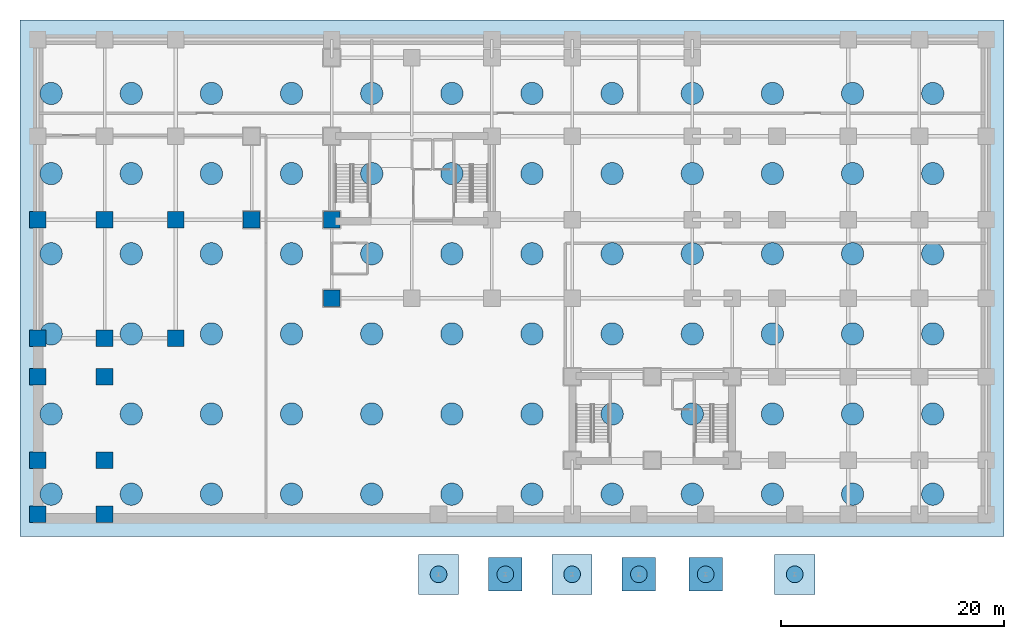
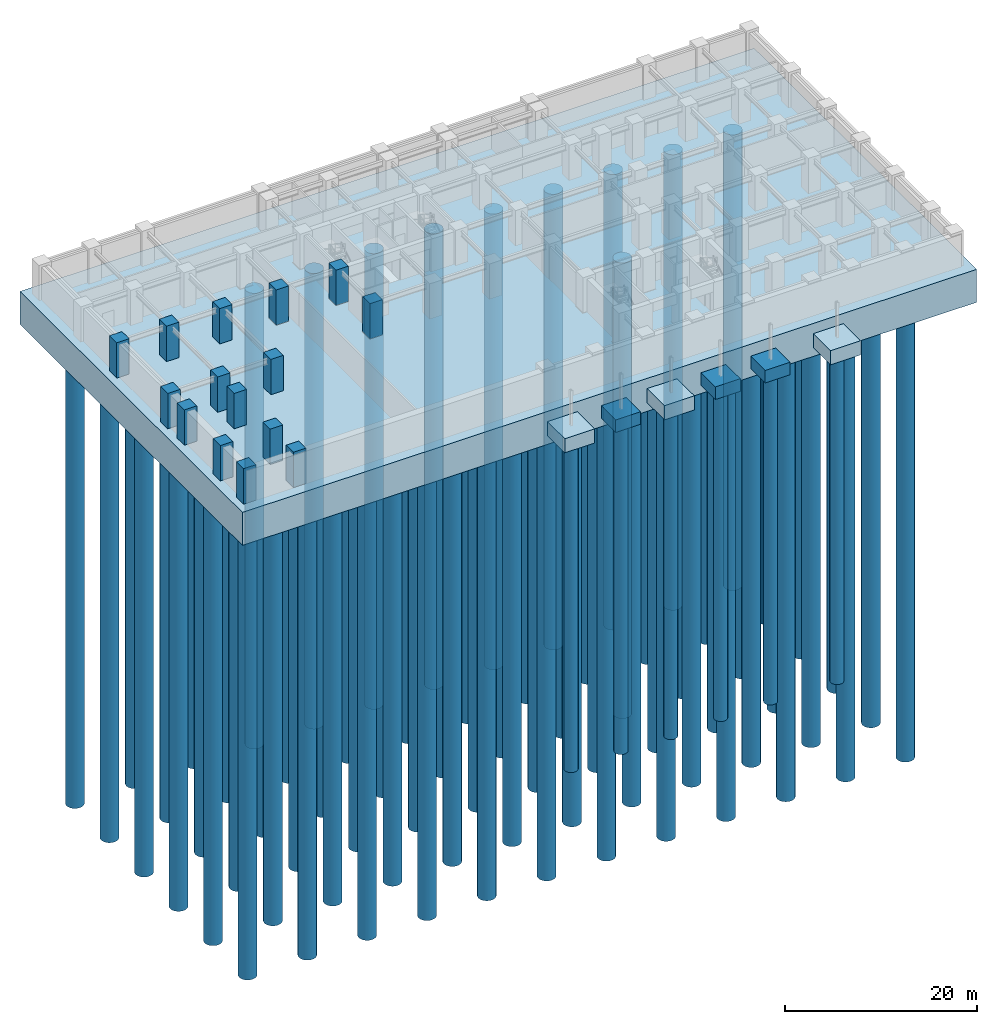
# One storey, part 1 of 11: 78 piles, 15 columns, 7 footings.
"""IFC4 building model written with IfcOpenShell, lengths in metres."""

from ifc_helpers import new_model, si_unit, direction, frame, origin, origin_2d, place, context, subcontext, project, spatial, polyline, rectangle, circle, outline, extrude, source, transform, mapped, material, material_profile, profile_set, type_object, element, save


model = new_model("IFC4")

# Units and contexts
model_context = context("Model", 3, precision=1e-05, world=origin(), true_north=direction((0.0, 1.0)))
body_context = subcontext(model_context, "Body", "Model", "MODEL_VIEW")
ifc_project = project(units=[si_unit("LENGTHUNIT", "METRE"), si_unit("AREAUNIT", "SQUARE_METRE"), si_unit("VOLUMEUNIT", "CUBIC_METRE"), si_unit("PLANEANGLEUNIT", "RADIAN"), si_unit("MASSUNIT", "GRAM", prefix="KILO")], contexts=[model_context])

# Site, building, storey
site_placement = place(None, origin())
site = spatial("IfcSite", under=ifc_project, at=site_placement, CompositionType="ELEMENT")
building_placement = place(site_placement, origin())
building = spatial("IfcBuilding", under=site, at=building_placement, Name="Kaliganga Portal Commons", CompositionType="ELEMENT")
storey_placement = place(building_placement, frame((0.0, 0.0, -9.0)))
storey = spatial("IfcBuildingStorey", under=building, at=storey_placement, Name="B2", CompositionType="ELEMENT", Elevation=-9.0)

# Footing
ifc_material_1 = material(Name="Concrete C60/75", Category="concrete")
footing_type_1 = type_object("IfcFootingType", Name="FTG-RAFT-4200", PredefinedType="PILE_CAP", material=ifc_material_1)
footing_placement = place(storey_placement, frame((0.0, 0.0, -4.199951171875)))
element("IfcFooting", 1, at=footing_placement, inside=storey, type_object=footing_type_1, Name="Combined Piled-Raft Mat Foundation", PredefinedType="PILE_CAP", context=body_context, shape_type="SweptSolid", body=[
    extrude(outline(polyline([(-13.60009765625, 0.199951171875), (74.800048828125, 0.199951171875), (74.800048828125, 46.60009765625), (-13.60009765625, 46.60009765625), (-13.60009765625, 0.199951171875)])), origin(), (0.0, 0.0, 1.0), 4.199951171875),
])

# Piles
ifc_material_2 = material(Name="Concrete C50/60", Category="concrete")
ifc_material_profile_1 = material_profile(ifc_material_2, circle(Radius=0.75, at=origin_2d()), Name="PILE D1500")
ifc_profile_set_1 = profile_set([ifc_material_profile_1], Name="Concrete C50/60")
pile_type_1 = type_object("IfcPileType", Name="PILE-BORED-D1500", PredefinedType="BORED", material=ifc_profile_set_1)
for number, where, z_axis, x_axis, name in (
    (2, (24.0, -3.199951171875, -1.699951171875), (0.0, 0.0, -1.0), (1.0, 0.0, 0.0), "Promenade Bored Pile PP-01"),
    (3, (30.0, -3.199951171875, -1.5), (0.0, 0.0, -1.0), (1.0, 0.0, 0.0), "Promenade Bored Pile PP-02"),
    (4, (36.0, -3.199951171875, -1.699951171875), (0.0, 0.0, -1.0), (1.0, 0.0, 0.0), "Promenade Bored Pile PP-03"),
    (5, (42.0, -3.199951171875, -1.5), (0.0, 0.0, -1.0), (1.0, 0.0, 0.0), "Promenade Bored Pile PP-04"),
    (6, (48.0, -3.199951171875, -1.5), (0.0, 0.0, -1.0), (1.0, 0.0, 0.0), "Promenade Bored Pile PP-05"),
    (7, (56.0, -3.199951171875, -1.699951171875), (0.0, 0.0, -1.0), (1.0, 0.0, 0.0), "Promenade Bored Pile PP-06"),
):
    element("IfcPile", number, at=place(storey_placement, frame(where, z_axis=z_axis, x_axis=x_axis)), inside=storey, type_object=pile_type_1, Name=name, PredefinedType="BORED", context=body_context, shape_type="SweptSolid", body=[
        extrude(circle(Radius=0.75, at=origin_2d()), origin(), (0.0, 0.0, 1.0), 42.0),
    ])
ifc_material_profile_2 = material_profile(ifc_material_2, circle(Radius=1.0, at=origin_2d()), Name="PILE D2000")
ifc_profile_set_2 = profile_set([ifc_material_profile_2], Name="Concrete C50/60")
pile_type_2 = type_object("IfcPileType", Name="PILE-BORED-D2000", PredefinedType="BORED", material=ifc_profile_set_2)
for number, where, z_axis, x_axis, name in (
    (8, (-10.800048828125, 4.0, -4.10009765625), (0.0, 0.0, -1.0), (1.0, 0.0, 0.0), "Bored Pile P-001"),
    (9, (-10.800048828125, 11.199951171875, -4.10009765625), (0.0, 0.0, -1.0), (1.0, 0.0, 0.0), "Bored Pile P-002"),
    (10, (-10.800048828125, 18.39990234375, -4.10009765625), (0.0, 0.0, -1.0), (1.0, 0.0, 0.0), "Bored Pile P-003"),
    (11, (-10.800048828125, 25.60009765625, -4.10009765625), (0.0, 0.0, -1.0), (1.0, 0.0, 0.0), "Bored Pile P-004"),
    (12, (-10.800048828125, 32.800048828125, -4.10009765625), (0.0, 0.0, -1.0), (1.0, 0.0, 0.0), "Bored Pile P-005"),
    (13, (-10.800048828125, 40.0, -4.10009765625), (0.0, 0.0, -1.0), (1.0, 0.0, 0.0), "Bored Pile P-006"),
    (14, (-3.60009765625, 4.0, -4.10009765625), (0.0, 0.0, -1.0), (1.0, 0.0, 0.0), "Bored Pile P-007"),
    (15, (-3.60009765625, 11.199951171875, -4.10009765625), (0.0, 0.0, -1.0), (1.0, 0.0, 0.0), "Bored Pile P-008"),
    (16, (-3.60009765625, 18.39990234375, -4.10009765625), (0.0, 0.0, -1.0), (1.0, 0.0, 0.0), "Bored Pile P-009"),
    (17, (-3.60009765625, 25.60009765625, -4.10009765625), (0.0, 0.0, -1.0), (1.0, 0.0, 0.0), "Bored Pile P-010"),
    (18, (-3.60009765625, 32.800048828125, -4.10009765625), (0.0, 0.0, -1.0), (1.0, 0.0, 0.0), "Bored Pile P-011"),
    (19, (-3.60009765625, 40.0, -4.10009765625), (0.0, 0.0, -1.0), (1.0, 0.0, 0.0), "Bored Pile P-012"),
    (20, (3.60009765625, 4.0, -4.10009765625), (0.0, 0.0, -1.0), (1.0, 0.0, 0.0), "Bored Pile P-013"),
    (21, (3.60009765625, 11.199951171875, -4.10009765625), (0.0, 0.0, -1.0), (1.0, 0.0, 0.0), "Bored Pile P-014"),
    (22, (3.60009765625, 18.39990234375, -4.10009765625), (0.0, 0.0, -1.0), (1.0, 0.0, 0.0), "Bored Pile P-015"),
    (23, (3.60009765625, 25.60009765625, -4.10009765625), (0.0, 0.0, -1.0), (1.0, 0.0, 0.0), "Bored Pile P-016"),
    (24, (3.60009765625, 32.800048828125, -4.10009765625), (0.0, 0.0, -1.0), (1.0, 0.0, 0.0), "Bored Pile P-017"),
    (25, (3.60009765625, 40.0, -4.10009765625), (0.0, 0.0, -1.0), (1.0, 0.0, 0.0), "Bored Pile P-018"),
    (26, (10.800048828125, 4.0, -4.10009765625), (0.0, 0.0, -1.0), (1.0, 0.0, 0.0), "Bored Pile P-019"),
    (27, (10.800048828125, 11.199951171875, -4.10009765625), (0.0, 0.0, -1.0), (1.0, 0.0, 0.0), "Bored Pile P-020"),
    (28, (10.800048828125, 18.39990234375, -4.10009765625), (0.0, 0.0, -1.0), (1.0, 0.0, 0.0), "Bored Pile P-021"),
    (29, (10.800048828125, 25.60009765625, -4.10009765625), (0.0, 0.0, -1.0), (1.0, 0.0, 0.0), "Bored Pile P-022"),
    (30, (10.800048828125, 32.800048828125, -4.10009765625), (0.0, 0.0, -1.0), (1.0, 0.0, 0.0), "Bored Pile P-023"),
    (31, (10.800048828125, 40.0, -4.10009765625), (0.0, 0.0, -1.0), (1.0, 0.0, 0.0), "Bored Pile P-024"),
    (32, (18.0, 4.0, -4.10009765625), (0.0, 0.0, -1.0), (1.0, 0.0, 0.0), "Bored Pile P-025"),
    (33, (18.0, 11.199951171875, -4.10009765625), (0.0, 0.0, -1.0), (1.0, 0.0, 0.0), "Bored Pile P-026"),
    (34, (18.0, 18.39990234375, -4.10009765625), (0.0, 0.0, -1.0), (1.0, 0.0, 0.0), "Bored Pile P-027"),
    (35, (18.0, 25.60009765625, -4.10009765625), (0.0, 0.0, -1.0), (1.0, 0.0, 0.0), "Bored Pile P-028"),
    (36, (18.0, 32.800048828125, -4.10009765625), (0.0, 0.0, -1.0), (1.0, 0.0, 0.0), "Bored Pile P-029"),
    (37, (18.0, 40.0, -4.10009765625), (0.0, 0.0, -1.0), (1.0, 0.0, 0.0), "Bored Pile P-030"),
    (38, (25.199951171875, 4.0, -4.10009765625), (0.0, 0.0, -1.0), (1.0, 0.0, 0.0), "Bored Pile P-031"),
    (39, (25.199951171875, 11.199951171875, -4.10009765625), (0.0, 0.0, -1.0), (1.0, 0.0, 0.0), "Bored Pile P-032"),
    (40, (25.199951171875, 18.39990234375, -4.10009765625), (0.0, 0.0, -1.0), (1.0, 0.0, 0.0), "Bored Pile P-033"),
    (41, (25.199951171875, 25.60009765625, -4.10009765625), (0.0, 0.0, -1.0), (1.0, 0.0, 0.0), "Bored Pile P-034"),
    (42, (25.199951171875, 32.800048828125, -4.10009765625), (0.0, 0.0, -1.0), (1.0, 0.0, 0.0), "Bored Pile P-035"),
    (43, (25.199951171875, 40.0, -4.10009765625), (0.0, 0.0, -1.0), (1.0, 0.0, 0.0), "Bored Pile P-036"),
    (44, (32.39990234375, 4.0, -4.10009765625), (0.0, 0.0, -1.0), (1.0, 0.0, 0.0), "Bored Pile P-037"),
    (45, (32.39990234375, 11.199951171875, -4.10009765625), (0.0, 0.0, -1.0), (1.0, 0.0, 0.0), "Bored Pile P-038"),
    (46, (32.39990234375, 18.39990234375, -4.10009765625), (0.0, 0.0, -1.0), (1.0, 0.0, 0.0), "Bored Pile P-039"),
    (47, (32.39990234375, 25.60009765625, -4.10009765625), (0.0, 0.0, -1.0), (1.0, 0.0, 0.0), "Bored Pile P-040"),
    (48, (32.39990234375, 32.800048828125, -4.10009765625), (0.0, 0.0, -1.0), (1.0, 0.0, 0.0), "Bored Pile P-041"),
    (49, (32.39990234375, 40.0, -4.10009765625), (0.0, 0.0, -1.0), (1.0, 0.0, 0.0), "Bored Pile P-042"),
    (50, (39.60009765625, 4.0, -4.10009765625), (0.0, 0.0, -1.0), (1.0, 0.0, 0.0), "Bored Pile P-043"),
    (51, (39.60009765625, 11.199951171875, -4.10009765625), (0.0, 0.0, -1.0), (1.0, 0.0, 0.0), "Bored Pile P-044"),
    (52, (39.60009765625, 18.39990234375, -4.10009765625), (0.0, 0.0, -1.0), (1.0, 0.0, 0.0), "Bored Pile P-045"),
    (53, (39.60009765625, 25.60009765625, -4.10009765625), (0.0, 0.0, -1.0), (1.0, 0.0, 0.0), "Bored Pile P-046"),
    (54, (39.60009765625, 32.800048828125, -4.10009765625), (0.0, 0.0, -1.0), (1.0, 0.0, 0.0), "Bored Pile P-047"),
    (55, (39.60009765625, 40.0, -4.10009765625), (0.0, 0.0, -1.0), (1.0, 0.0, 0.0), "Bored Pile P-048"),
    (56, (46.800048828125, 4.0, -4.10009765625), (0.0, 0.0, -1.0), (1.0, 0.0, 0.0), "Bored Pile P-049"),
    (57, (46.800048828125, 11.199951171875, -4.10009765625), (0.0, 0.0, -1.0), (1.0, 0.0, 0.0), "Bored Pile P-050"),
    (58, (46.800048828125, 18.39990234375, -4.10009765625), (0.0, 0.0, -1.0), (1.0, 0.0, 0.0), "Bored Pile P-051"),
    (59, (46.800048828125, 25.60009765625, -4.10009765625), (0.0, 0.0, -1.0), (1.0, 0.0, 0.0), "Bored Pile P-052"),
    (60, (46.800048828125, 32.800048828125, -4.10009765625), (0.0, 0.0, -1.0), (1.0, 0.0, 0.0), "Bored Pile P-053"),
    (61, (46.800048828125, 40.0, -4.10009765625), (0.0, 0.0, -1.0), (1.0, 0.0, 0.0), "Bored Pile P-054"),
    (62, (54.0, 4.0, -4.10009765625), (0.0, 0.0, -1.0), (1.0, 0.0, 0.0), "Bored Pile P-055"),
    (63, (54.0, 11.199951171875, -4.10009765625), (0.0, 0.0, -1.0), (1.0, 0.0, 0.0), "Bored Pile P-056"),
    (64, (54.0, 18.39990234375, -4.10009765625), (0.0, 0.0, -1.0), (1.0, 0.0, 0.0), "Bored Pile P-057"),
    (65, (54.0, 25.60009765625, -4.10009765625), (0.0, 0.0, -1.0), (1.0, 0.0, 0.0), "Bored Pile P-058"),
    (66, (54.0, 32.800048828125, -4.10009765625), (0.0, 0.0, -1.0), (1.0, 0.0, 0.0), "Bored Pile P-059"),
    (67, (54.0, 40.0, -4.10009765625), (0.0, 0.0, -1.0), (1.0, 0.0, 0.0), "Bored Pile P-060"),
    (68, (61.199951171875, 4.0, -4.10009765625), (0.0, 0.0, -1.0), (1.0, 0.0, 0.0), "Bored Pile P-061"),
    (69, (61.199951171875, 11.199951171875, -4.10009765625), (0.0, 0.0, -1.0), (1.0, 0.0, 0.0), "Bored Pile P-062"),
    (70, (61.199951171875, 18.39990234375, -4.10009765625), (0.0, 0.0, -1.0), (1.0, 0.0, 0.0), "Bored Pile P-063"),
    (71, (61.199951171875, 25.60009765625, -4.10009765625), (0.0, 0.0, -1.0), (1.0, 0.0, 0.0), "Bored Pile P-064"),
    (72, (61.199951171875, 32.800048828125, -4.10009765625), (0.0, 0.0, -1.0), (1.0, 0.0, 0.0), "Bored Pile P-065"),
    (73, (61.199951171875, 40.0, -4.10009765625), (0.0, 0.0, -1.0), (1.0, 0.0, 0.0), "Bored Pile P-066"),
    (74, (68.39990234375, 4.0, -4.10009765625), (0.0, 0.0, -1.0), (1.0, 0.0, 0.0), "Bored Pile P-067"),
    (75, (68.39990234375, 11.199951171875, -4.10009765625), (0.0, 0.0, -1.0), (1.0, 0.0, 0.0), "Bored Pile P-068"),
    (76, (68.39990234375, 18.39990234375, -4.10009765625), (0.0, 0.0, -1.0), (1.0, 0.0, 0.0), "Bored Pile P-069"),
    (77, (68.39990234375, 25.60009765625, -4.10009765625), (0.0, 0.0, -1.0), (1.0, 0.0, 0.0), "Bored Pile P-070"),
    (78, (68.39990234375, 32.800048828125, -4.10009765625), (0.0, 0.0, -1.0), (1.0, 0.0, 0.0), "Bored Pile P-071"),
    (79, (68.39990234375, 40.0, -4.10009765625), (0.0, 0.0, -1.0), (1.0, 0.0, 0.0), "Bored Pile P-072"),
):
    element("IfcPile", number, at=place(storey_placement, frame(where, z_axis=z_axis, x_axis=x_axis)), inside=storey, type_object=pile_type_2, Name=name, PredefinedType="BORED", context=body_context, shape_type="SweptSolid", body=[
        extrude(circle(Radius=1.0, at=origin_2d()), origin(), (0.0, 0.0, 1.0), 58.0),
    ])

# Footings
footing_type_2 = type_object("IfcFootingType", Name="FTG-PAD-3600", PredefinedType="PAD_FOOTING", material=ifc_material_2)
shared_shape_1 = source(origin(), body_context, "Body", "SweptSolid", [
    extrude(rectangle(XDim=3.60009765625, YDim=3.60009765625, at=origin_2d()), origin(), (0.0, 0.0, 1.0), 1.800048828125),
])
for number, where, z_axis, x_axis, name in (
    (80, (24.0, -3.199951171875, -1.7998046875), (0.0, 0.0, 1.0), (1.0, 0.0, 0.0), "Promenade Pad Footing PF-01"),
    (81, (36.0, -3.199951171875, -1.7998046875), (0.0, 0.0, 1.0), (1.0, 0.0, 0.0), "Promenade Pad Footing PF-03"),
    (82, (56.0, -3.199951171875, -1.7998046875), (0.0, 0.0, 1.0), (1.0, 0.0, 0.0), "Promenade Pad Footing PF-06"),
):
    element("IfcFooting", number, at=place(storey_placement, frame(where, z_axis=z_axis, x_axis=x_axis)), inside=storey, type_object=footing_type_2, Name=name, PredefinedType="PAD_FOOTING", context=body_context, shape_type="MappedRepresentation", body=[
        mapped(shared_shape_1, transform((0.0, 0.0, 0.0), x_axis=(1.0, 0.0, 0.0), y_axis=(0.0, 1.0, 0.0), z_axis=(0.0, 0.0, 1.0), scale=1.0)),
    ])
footing_type_3 = type_object("IfcFootingType", Name="FTG-PAD-3000", PredefinedType="PAD_FOOTING", material=ifc_material_2)
shared_shape_2 = source(origin(), body_context, "Body", "SweptSolid", [
    extrude(rectangle(XDim=3.0, YDim=3.0, at=origin_2d()), origin(), (0.0, 0.0, 1.0), 1.60009765625),
])
for number, where, z_axis, x_axis, name in (
    (83, (30.0, -3.199951171875, -1.60009765625), (0.0, 0.0, 1.0), (1.0, 0.0, 0.0), "Promenade Pad Footing PF-02"),
    (84, (42.0, -3.199951171875, -1.60009765625), (0.0, 0.0, 1.0), (1.0, 0.0, 0.0), "Promenade Pad Footing PF-04"),
    (85, (48.0, -3.199951171875, -1.60009765625), (0.0, 0.0, 1.0), (1.0, 0.0, 0.0), "Promenade Pad Footing PF-05"),
):
    element("IfcFooting", number, at=place(storey_placement, frame(where, z_axis=z_axis, x_axis=x_axis)), inside=storey, type_object=footing_type_3, Name=name, PredefinedType="PAD_FOOTING", context=body_context, shape_type="MappedRepresentation", body=[
        mapped(shared_shape_2, transform((0.0, 0.0, 0.0), x_axis=(1.0, 0.0, 0.0), y_axis=(0.0, 1.0, 0.0), z_axis=(0.0, 0.0, 1.0), scale=1.0)),
    ])

# Columns
ifc_material_3 = material(Name="Concrete C70/85", Category="concrete")
ifc_material_profile_3 = material_profile(ifc_material_3, rectangle(XDim=1.5, YDim=1.5, at=origin_2d()), Name="RC 1500x1500")
ifc_profile_set_3 = profile_set([ifc_material_profile_3], Name="Concrete C70/85")
column_type = type_object("IfcColumnType", Name="COL-MEGA-Z0", PredefinedType="COLUMN", material=ifc_profile_set_3)
shared_shape_3 = source(origin(), body_context, "Body", "SweptSolid", [
    extrude(rectangle(XDim=1.5, YDim=1.5, at=origin_2d()), origin(), (0.0, 0.0, 1.0), 4.5),
])
for number, where, z_axis, x_axis, name in (
    (86, (7.199951171875, 28.64990234375, 0.0), (0.0, 0.0, 1.0), (1.0, 0.0, 0.0), "Column MC-01 B2"),
    (87, (14.39990234375, 21.60009765625, 0.0), (0.0, 0.0, 1.0), (1.0, 0.0, 0.0), "Column MC-01 B2"),
    (88, (14.39990234375, 28.64990234375, 0.0), (0.0, 0.0, 1.0), (1.0, 0.0, 0.0), "Column MC-01 B2"),
    (89, (0.39990234375, 18.0, 0.0), (0.0, 0.0, 1.0), (1.0, 0.0, 0.0), "Column MC-01 B2"),
    (90, (0.39990234375, 28.64990234375, 0.0), (0.0, 0.0, 1.0), (1.0, 0.0, 0.0), "Column MC-01 B2"),
    (91, (-12.0, 18.0, 0.0), (0.0, 0.0, 1.0), (1.0, 0.0, 0.0), "Column MC-01 B2"),
    (92, (-12.0, 28.64990234375, 0.0), (0.0, 0.0, 1.0), (1.0, 0.0, 0.0), "Column MC-01 B2"),
    (93, (-6.0, 18.0, 0.0), (0.0, 0.0, 1.0), (1.0, 0.0, 0.0), "Column MC-01 B2"),
    (94, (-6.0, 28.64990234375, 0.0), (0.0, 0.0, 1.0), (1.0, 0.0, 0.0), "Column MC-01 B2"),
    (95, (-12.0, 2.199951171875, 0.0), (0.0, 0.0, 1.0), (1.0, 0.0, 0.0), "Column MC-01 B2"),
    (96, (-6.0, 2.199951171875, 0.0), (0.0, 0.0, 1.0), (1.0, 0.0, 0.0), "Column MC-01 B2"),
    (97, (-12.0, 7.050048828125, 0.0), (0.0, 0.0, 1.0), (1.0, 0.0, 0.0), "Column MC-01 B2"),
    (98, (-6.0, 7.050048828125, 0.0), (0.0, 0.0, 1.0), (1.0, 0.0, 0.0), "Column MC-01 B2"),
    (99, (-12.0, 14.550048828125, 0.0), (0.0, 0.0, 1.0), (1.0, 0.0, 0.0), "Column MC-01 B2"),
    (100, (-6.0, 14.550048828125, 0.0), (0.0, 0.0, 1.0), (1.0, 0.0, 0.0), "Column MC-01 B2"),
):
    element("IfcColumn", number, at=place(storey_placement, frame(where, z_axis=z_axis, x_axis=x_axis)), inside=storey, type_object=column_type, Name=name, PredefinedType="COLUMN", context=body_context, shape_type="MappedRepresentation", body=[
        mapped(shared_shape_3, transform((0.0, 0.0, 0.0), x_axis=(1.0, 0.0, 0.0), y_axis=(0.0, 1.0, 0.0), z_axis=(0.0, 0.0, 1.0), scale=1.0)),
    ])

save(model, "model.ifc")
